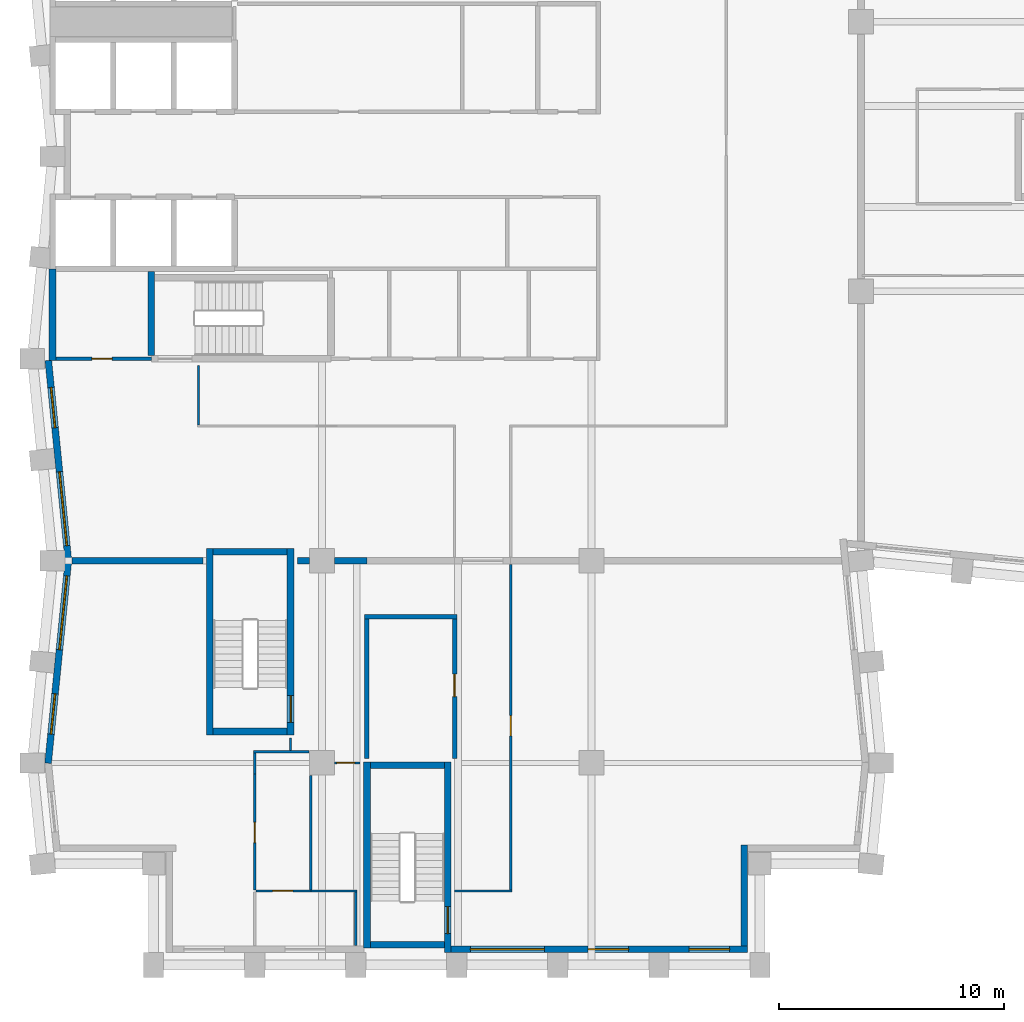
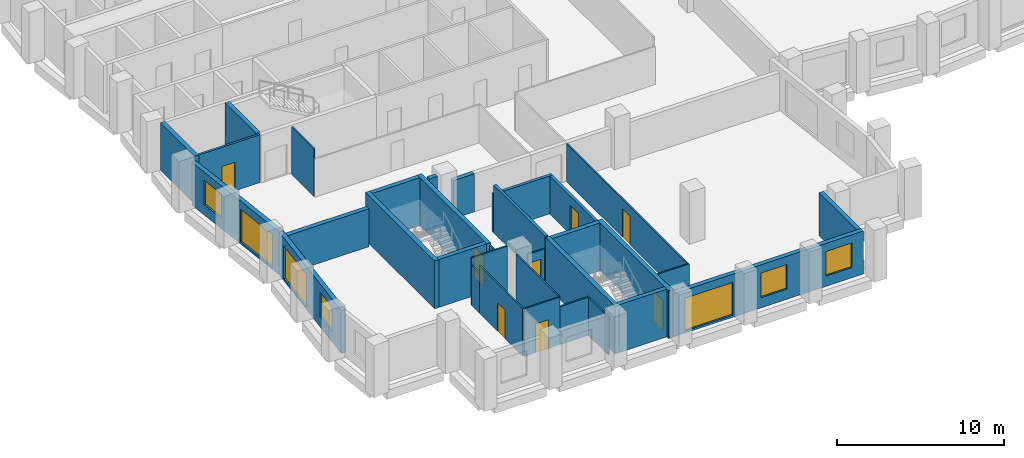
# One storey, part 3 of 10: 33 walls, 8 doors, 7 windows, 15 openings.
"""IFC4 building model written with IfcOpenShell, lengths in metres."""

from ifc_helpers import new_model, si_unit, direction, frame, frame_2d, origin, place, context, subcontext, project, spatial, rectangle, extrude, material, layer, layer_set, type_object, element, fill, save


model = new_model("IFC4")

# Units and contexts
model_context = context("Model", 3, precision=1e-05, world=origin(), true_north=direction((0.0, 1.0)))
body_context = subcontext(model_context, "Body", "Model", "MODEL_VIEW")
ifc_project = project(units=[si_unit("LENGTHUNIT", "METRE"), si_unit("AREAUNIT", "SQUARE_METRE"), si_unit("VOLUMEUNIT", "CUBIC_METRE"), si_unit("PLANEANGLEUNIT", "RADIAN"), si_unit("MASSUNIT", "GRAM", prefix="KILO")], contexts=[model_context])

# Site, building, storey
site_placement = place(None, origin())
site = spatial("IfcSite", under=ifc_project, at=site_placement, CompositionType="ELEMENT")
building_placement = place(site_placement, origin())
building = spatial("IfcBuilding", under=site, at=building_placement, Name="Brondeck Convention Tower", CompositionType="ELEMENT")
storey_placement = place(building_placement, frame((0.0, 0.0, 181.39990234375)))
storey = spatial("IfcBuildingStorey", under=building, at=storey_placement, Name="L44", CompositionType="ELEMENT", Elevation=181.39990234375)

# Walls
ifc_material_1 = material(Name="Concrete compartment wall C30/37", Category="concrete")
ifc_layer_1 = layer(ifc_material_1, 0.300048828125)
ifc_layer_set_1 = layer_set([ifc_layer_1], Name="Compartment wall 300")
wall_type_1 = type_object("IfcWallType", Name="Compartment wall 300", PredefinedType="PARTITIONING", material=ifc_layer_set_1)
wall_1_placement = place(storey_placement, frame((0.8740234375, 27.0, 0.0), z_axis=(0.0, 0.0, 1.0), x_axis=(1.0, 0.0, 0.0)))
element("IfcWall", 1, at=wall_1_placement, inside=storey, type_object=wall_type_1, Name="FLR-L44-W017", PredefinedType="PARTITIONING", context=body_context, shape_type="SweptSolid", body=[
    extrude(rectangle(XDim=5.825927734375, YDim=0.300048828125, at=frame_2d((2.9130859375, 0.0))), origin(), (0.0, 0.0, 1.0), 2.780029296875),
])
wall_2_placement = place(storey_placement, frame((10.89990234375, 27.0, 0.0), z_axis=(0.0, 0.0, 1.0), x_axis=(1.0, 0.0, 0.0)))
element("IfcWall", 2, at=wall_2_placement, inside=storey, type_object=wall_type_1, Name="FLR-L44-W018", PredefinedType="PARTITIONING", context=body_context, shape_type="SweptSolid", body=[
    extrude(rectangle(XDim=0.545166015625, YDim=0.300048828125, at=frame_2d((0.2724609375, 0.0))), origin(), (0.0, 0.0, 1.0), 3.47998046875),
])
wall_3_placement = place(storey_placement, frame((12.554931640625, 27.0, 0.0), z_axis=(0.0, 0.0, 1.0), x_axis=(1.0, 0.0, 0.0)))
element("IfcWall", 3, at=wall_3_placement, inside=storey, type_object=wall_type_1, Name="FLR-L44-W019", PredefinedType="PARTITIONING", context=body_context, shape_type="SweptSolid", body=[
    extrude(rectangle(XDim=1.445068359375, YDim=0.300048828125, at=frame_2d((0.72265625, 0.0))), origin(), (0.0, 0.0, 1.0), 2.780029296875),
])
ifc_material_2 = material(Name="Concrete C70/85", Category="concrete")
ifc_layer_2 = layer(ifc_material_2, 0.300048828125)
ifc_layer_set_2 = layer_set([ifc_layer_2], Name="Core outer wall 300 Concrete C70/85")
wall_type_2 = type_object("IfcWallType", Name="Core outer wall 300 Concrete C70/85", PredefinedType="SHEAR", material=ifc_layer_set_2)
wall_4_placement = place(storey_placement, frame((0.0, 35.925048828125, 0.0), z_axis=(0.0, 0.0, 1.0), x_axis=(0.0, 1.0, 0.0)))
element("IfcWall", 4, at=wall_4_placement, inside=storey, type_object=wall_type_2, Name="L44 core wall", PredefinedType="SHEAR", context=body_context, shape_type="SweptSolid", body=[
    extrude(rectangle(XDim=4.074951171875, YDim=0.300048828125, at=frame_2d((2.03759765625, 0.0))), origin(), (0.0, 0.0, 1.0), 3.5),
])

# Wall, opening, door
ifc_material_3 = material(Name="Fire-rated gypsum board partition")
ifc_layer_3 = layer(ifc_material_3, 0.14990234375)
ifc_layer_set_3 = layer_set([ifc_layer_3], Name="Core partition 150 EI 60")
wall_type_3 = type_object("IfcWallType", Name="Core partition 150 EI 60", PredefinedType="PARTITIONING", material=ifc_layer_set_3)
wall_5_placement = place(storey_placement, frame((0.14990234375, 36.0, 0.0), z_axis=(0.0, 0.0, 1.0), x_axis=(1.0, 0.0, 0.0)))
wall_5 = element("IfcWall", 5, at=wall_5_placement, inside=storey, type_object=wall_type_3, Name="L44 core wall", PredefinedType="PARTITIONING", context=body_context, shape_type="SweptSolid", body=[
    extrude(rectangle(XDim=4.25, YDim=0.14990234375, at=frame_2d((2.125, 0.0))), origin(), (0.0, 0.0, 1.0), 3.5),
])
opening_1_placement = place(wall_5_placement, frame((1.60009765625, 0.0, 0.0)))
opening_1 = element("IfcOpeningElement", 6, at=opening_1_placement, cuts=wall_5, Name="Opening C24-07", PredefinedType="OPENING", context=body_context, shape_type="SweptSolid", body=[
    extrude(rectangle(XDim=0.89990234375, YDim=2.10009765625, at=frame_2d((0.449951171875, 1.050048828125))), frame((0.0, 0.0849609375, 0.0), z_axis=(0.0, -1.0, 0.0), x_axis=(1.0, 0.0, 0.0)), (0.0, 0.0, 1.0), 0.169921875),
])
ifc_material_4 = material(Name="Steel fire door", Category="steel")
door_type_1 = type_object("IfcDoorType", Name="Room door 900x2100 EI 60", OperationType="NOTDEFINED", PredefinedType="DOOR", material=ifc_material_4)
door_1_placement = place(opening_1_placement, origin())
door_1 = element("IfcDoor", 7, at=door_1_placement, inside=storey, type_object=door_type_1, Name="L44 Room door FRW-1", OperationType="SINGLE_SWING_LEFT", OverallHeight=2.10009765625, OverallWidth=0.89990234375, PredefinedType="DOOR", context=body_context, shape_type="SweptSolid", body=[
    extrude(rectangle(XDim=0.89990234375, YDim=2.10009765625, at=frame_2d((0.449951171875, 1.050048828125))), frame((0.0, 0.02490234375, 0.0), z_axis=(0.0, -1.0, 0.0), x_axis=(1.0, 0.0, 0.0)), (0.0, 0.0, 1.0), 0.050048828125),
])
fill(opening_1, door_1)

# Wall, openings, windows
ifc_material_5 = material(Name="Precast concrete C50/60 bronze finish", Category="concrete")
ifc_layer_4 = layer(ifc_material_5, 0.070068359375, Name="Bronze precast facing")
ifc_material_6 = material(Name="Mineral wool")
ifc_layer_5 = layer(ifc_material_6, 0.159912109375, Name="Insulation")
ifc_material_7 = material(Name="Concrete C35/45", Category="concrete")
ifc_layer_6 = layer(ifc_material_7, 0.070068359375, Name="Backing")
ifc_layer_set_4 = layer_set([ifc_layer_4, ifc_layer_5, ifc_layer_6], Name="External infill wall, precast concrete C50/60 bronze facing")
wall_type_4 = type_object("IfcWallType", Name="External infill wall, precast concrete C50/60 bronze facing", PredefinedType="SOLIDWALL", material=ifc_layer_set_4)
wall_6_placement = place(storey_placement, frame((30.949951171875, 9.699951171875, 0.0), z_axis=(0.0, 0.0, 1.0), x_axis=(-1.0, 0.0, 0.0)))
wall_6 = element("IfcWall", 8, at=wall_6_placement, inside=storey, type_object=wall_type_4, Name="ENV-EW-L44-P1-B-S9-04", PredefinedType="SOLIDWALL", context=body_context, shape_type="SweptSolid", body=[
    extrude(rectangle(XDim=13.199951171875, YDim=0.300048828125, at=frame_2d((6.60009765625, 0.0))), origin(), (0.0, 0.0, 1.0), 3.150146484375),
])
opening_2_placement = place(wall_6_placement, frame((0.800048828125, 0.0, 0.75)))
opening_2 = element("IfcOpeningElement", 9, at=opening_2_placement, cuts=wall_6, Name="Opening W10", PredefinedType="OPENING", context=body_context, shape_type="SweptSolid", body=[
    extrude(rectangle(XDim=1.800048828125, YDim=1.800048828125, at=frame_2d((0.89990234375, 0.89990234375))), frame((0.0, 0.159912109375, 0.0), z_axis=(0.0, -1.0, 0.0), x_axis=(1.0, 0.0, 0.0)), (0.0, 0.0, 1.0), 0.320068359375),
])
opening_3_placement = place(wall_6_placement, frame((5.300048828125, 0.0, 0.75)))
opening_3 = element("IfcOpeningElement", 10, at=opening_3_placement, cuts=wall_6, Name="Opening W10", PredefinedType="OPENING", context=body_context, shape_type="SweptSolid", body=[
    extrude(rectangle(XDim=1.800048828125, YDim=1.800048828125, at=frame_2d((0.89990234375, 0.89990234375))), frame((0.0, 0.159912109375, 0.0), z_axis=(0.0, -1.0, 0.0), x_axis=(1.0, 0.0, 0.0)), (0.0, 0.0, 1.0), 0.320068359375),
])
opening_4_placement = place(wall_6_placement, frame((9.050048828125, 0.0, 0.14990234375)))
opening_4 = element("IfcOpeningElement", 11, at=opening_4_placement, cuts=wall_6, Name="Opening W9", PredefinedType="OPENING", context=body_context, shape_type="SweptSolid", body=[
    extrude(rectangle(XDim=3.300048828125, YDim=2.39990234375, at=frame_2d((1.64990234375, 1.199951171875))), frame((0.0, 0.159912109375, 0.0), z_axis=(0.0, -1.0, 0.0), x_axis=(1.0, 0.0, 0.0)), (0.0, 0.0, 1.0), 0.320068359375),
])
ifc_material_8 = material(Name="Bronze tinted double glazing", Category="glass")
window_type_1 = type_object("IfcWindowType", Name="Glazed flute window, bronze tinted", PartitioningType="SINGLE_PANEL", PredefinedType="WINDOW", material=ifc_material_8)
window_1_placement = place(opening_4_placement, origin())
window_1 = element("IfcWindow", 12, at=window_1_placement, inside=storey, type_object=window_type_1, Name="ENV-WN-L44-P1-B-S9-04", OverallHeight=2.39990234375, OverallWidth=3.300048828125, PartitioningType="SINGLE_PANEL", PredefinedType="WINDOW", context=body_context, shape_type="SweptSolid", body=[
    extrude(rectangle(XDim=3.300048828125, YDim=2.39990234375, at=frame_2d((1.64990234375, 1.199951171875))), frame((0.0, 0.030029296875, 0.0), z_axis=(0.0, -1.0, 0.0), x_axis=(1.0, 0.0, 0.0)), (0.0, 0.0, 1.0), 0.06005859375),
])
fill(opening_4, window_1)
window_type_2 = type_object("IfcWindowType", Name="Punched window, bronze tinted", PartitioningType="SINGLE_PANEL", PredefinedType="WINDOW", material=ifc_material_8)
window_2_placement = place(opening_2_placement, origin())
window_2 = element("IfcWindow", 13, at=window_2_placement, inside=storey, type_object=window_type_2, Name="ENV-WN-L44-P1-B-S9-06", OverallHeight=1.800048828125, OverallWidth=1.800048828125, PartitioningType="SINGLE_PANEL", PredefinedType="WINDOW", context=body_context, shape_type="SweptSolid", body=[
    extrude(rectangle(XDim=1.800048828125, YDim=1.800048828125, at=frame_2d((0.89990234375, 0.89990234375))), frame((0.0, 0.030029296875, 0.0), z_axis=(0.0, -1.0, 0.0), x_axis=(1.0, 0.0, 0.0)), (0.0, 0.0, 1.0), 0.06005859375),
])
fill(opening_2, window_2)
window_3_placement = place(opening_3_placement, origin())
window_3 = element("IfcWindow", 14, at=window_3_placement, inside=storey, type_object=window_type_2, Name="ENV-WN-L44-P1-B-S9-05", OverallHeight=1.800048828125, OverallWidth=1.800048828125, PartitioningType="SINGLE_PANEL", PredefinedType="WINDOW", context=body_context, shape_type="SweptSolid", body=[
    extrude(rectangle(XDim=1.800048828125, YDim=1.800048828125, at=frame_2d((0.89990234375, 0.89990234375))), frame((0.0, 0.030029296875, 0.0), z_axis=(0.0, -1.0, 0.0), x_axis=(1.0, 0.0, 0.0)), (0.0, 0.0, 1.0), 0.06005859375),
])
fill(opening_3, window_3)

# Wall
wall_7_placement = place(storey_placement, frame((30.800048828125, 14.35009765625, 0.0), z_axis=(0.0, 0.0, 1.0), x_axis=(0.0, -1.0, 0.0)))
element("IfcWall", 15, at=wall_7_placement, inside=storey, type_object=wall_type_4, Name="ENV-EW-L44-P1-NC-SEB9-01", PredefinedType="SOLIDWALL", context=body_context, shape_type="SweptSolid", body=[
    extrude(rectangle(XDim=4.502197265625, YDim=0.300048828125, at=frame_2d((2.2509765625, 0.0))), origin(), (0.0, 0.0, 1.0), 3.150146484375),
])

# Wall, openings, windows
wall_8_placement = place(storey_placement, frame((0.705078125, 26.985107421875, 0.0), z_axis=(0.0, 0.0, 1.0), x_axis=(-0.099533329093, 0.995034228758, 0.0)))
wall_8 = element("IfcWall", 16, at=wall_8_placement, inside=storey, type_object=wall_type_4, Name="ENV-EW-L44-P1-B-W-06", PredefinedType="SOLIDWALL", context=body_context, shape_type="SweptSolid", body=[
    extrude(rectangle(XDim=8.97998046875, YDim=0.300048828125, at=frame_2d((4.489990234375, 0.0))), origin(), (0.0, 0.0, 1.0), 3.150146484375),
])
opening_5_placement = place(wall_8_placement, frame((0.6962890625, 0.0, 0.14990234375)))
opening_5 = element("IfcOpeningElement", 17, at=opening_5_placement, cuts=wall_8, Name="Opening W9", PredefinedType="OPENING", context=body_context, shape_type="SweptSolid", body=[
    extrude(rectangle(XDim=3.300048828125, YDim=2.39990234375, at=frame_2d((1.64990234375, 1.199951171875))), frame((0.0, 0.159912109375, 0.0), z_axis=(0.0, -1.0, 0.0), x_axis=(1.0, 0.0, 0.0)), (0.0, 0.0, 1.0), 0.320068359375),
])
opening_6_placement = place(wall_8_placement, frame((5.968505859375, 0.0, 0.75)))
opening_6 = element("IfcOpeningElement", 18, at=opening_6_placement, cuts=wall_8, Name="Opening W10", PredefinedType="OPENING", context=body_context, shape_type="SweptSolid", body=[
    extrude(rectangle(XDim=1.800048828125, YDim=1.800048828125, at=frame_2d((0.89990234375, 0.89990234375))), frame((0.0, 0.159912109375, 0.0), z_axis=(0.0, -1.0, 0.0), x_axis=(1.0, 0.0, 0.0)), (0.0, 0.0, 1.0), 0.320068359375),
])
window_4_placement = place(opening_5_placement, origin())
window_4 = element("IfcWindow", 19, at=window_4_placement, inside=storey, type_object=window_type_1, Name="ENV-WN-L44-P1-B-W-07", OverallHeight=2.39990234375, OverallWidth=3.300048828125, PartitioningType="SINGLE_PANEL", PredefinedType="WINDOW", context=body_context, shape_type="SweptSolid", body=[
    extrude(rectangle(XDim=3.300048828125, YDim=2.39990234375, at=frame_2d((1.64990234375, 1.199951171875))), frame((0.0, 0.030029296875, 0.0), z_axis=(0.0, -1.0, 0.0), x_axis=(1.0, 0.0, 0.0)), (0.0, 0.0, 1.0), 0.06005859375),
])
fill(opening_5, window_4)
window_5_placement = place(opening_6_placement, origin())
window_5 = element("IfcWindow", 20, at=window_5_placement, inside=storey, type_object=window_type_2, Name="ENV-WN-L44-P1-B-W-06", OverallHeight=1.800048828125, OverallWidth=1.800048828125, PartitioningType="SINGLE_PANEL", PredefinedType="WINDOW", context=body_context, shape_type="SweptSolid", body=[
    extrude(rectangle(XDim=1.800048828125, YDim=1.800048828125, at=frame_2d((0.89990234375, 0.89990234375))), frame((0.0, 0.030029296875, 0.0), z_axis=(0.0, -1.0, 0.0), x_axis=(1.0, 0.0, 0.0)), (0.0, 0.0, 1.0), 0.06005859375),
])
fill(opening_6, window_5)

wall_9_placement = place(storey_placement, frame((-0.197998046875, 17.985107421875, 0.0), z_axis=(0.0, 0.0, 1.0), x_axis=(0.099495688264, 0.995037993253, 0.0)))
wall_9 = element("IfcWall", 21, at=wall_9_placement, inside=storey, type_object=wall_type_4, Name="ENV-EW-L44-P1-B-W-08", PredefinedType="SOLIDWALL", context=body_context, shape_type="SweptSolid", body=[
    extrude(rectangle(XDim=9.030029296875, YDim=0.300048828125, at=frame_2d((4.51513671875, 0.0))), origin(), (0.0, 0.0, 1.0), 3.150146484375),
])
opening_7_placement = place(wall_9_placement, frame((1.30615234375, 0.0, 0.75)))
opening_7 = element("IfcOpeningElement", 22, at=opening_7_placement, cuts=wall_9, Name="Opening W10", PredefinedType="OPENING", context=body_context, shape_type="SweptSolid", body=[
    extrude(rectangle(XDim=1.800048828125, YDim=1.800048828125, at=frame_2d((0.89990234375, 0.89990234375))), frame((0.0, 0.159912109375, 0.0), z_axis=(0.0, -1.0, 0.0), x_axis=(1.0, 0.0, 0.0)), (0.0, 0.0, 1.0), 0.320068359375),
])
opening_8_placement = place(wall_9_placement, frame((5.07861328125, 0.0, 0.14990234375)))
opening_8 = element("IfcOpeningElement", 23, at=opening_8_placement, cuts=wall_9, Name="Opening W9", PredefinedType="OPENING", context=body_context, shape_type="SweptSolid", body=[
    extrude(rectangle(XDim=3.300048828125, YDim=2.39990234375, at=frame_2d((1.64990234375, 1.199951171875))), frame((0.0, 0.159912109375, 0.0), z_axis=(0.0, -1.0, 0.0), x_axis=(1.0, 0.0, 0.0)), (0.0, 0.0, 1.0), 0.320068359375),
])
window_6_placement = place(opening_8_placement, origin())
window_6 = element("IfcWindow", 24, at=window_6_placement, inside=storey, type_object=window_type_1, Name="ENV-WN-L44-P1-B-W-08", OverallHeight=2.39990234375, OverallWidth=3.300048828125, PartitioningType="SINGLE_PANEL", PredefinedType="WINDOW", context=body_context, shape_type="SweptSolid", body=[
    extrude(rectangle(XDim=3.300048828125, YDim=2.39990234375, at=frame_2d((1.64990234375, 1.199951171875))), frame((0.0, 0.030029296875, 0.0), z_axis=(0.0, -1.0, 0.0), x_axis=(1.0, 0.0, 0.0)), (0.0, 0.0, 1.0), 0.06005859375),
])
fill(opening_8, window_6)
window_7_placement = place(opening_7_placement, origin())
window_7 = element("IfcWindow", 25, at=window_7_placement, inside=storey, type_object=window_type_2, Name="ENV-WN-L44-P1-B-W-09", OverallHeight=1.800048828125, OverallWidth=1.800048828125, PartitioningType="SINGLE_PANEL", PredefinedType="WINDOW", context=body_context, shape_type="SweptSolid", body=[
    extrude(rectangle(XDim=1.800048828125, YDim=1.800048828125, at=frame_2d((0.89990234375, 0.89990234375))), frame((0.0, 0.030029296875, 0.0), z_axis=(0.0, -1.0, 0.0), x_axis=(1.0, 0.0, 0.0)), (0.0, 0.0, 1.0), 0.06005859375),
])
fill(opening_7, window_7)

# Wall, opening, door
ifc_material_9 = material(Name="Concrete block wall C16/20", Category="concrete")
ifc_layer_7 = layer(ifc_material_9, 0.199951171875)
ifc_layer_set_5 = layer_set([ifc_layer_7], Name="Plant room wall 200")
wall_type_5 = type_object("IfcWallType", Name="Plant room wall 200", PredefinedType="PARTITIONING", material=ifc_layer_set_5)
wall_10_placement = place(storey_placement, frame((17.89990234375, 18.199951171875, 0.0), z_axis=(0.0, 0.0, 1.0), x_axis=(0.0, 1.0, 0.0)))
wall_10 = element("IfcWall", 26, at=wall_10_placement, inside=storey, type_object=wall_type_5, Name="FLR-L44-W011", PredefinedType="PARTITIONING", context=body_context, shape_type="SweptSolid", body=[
    extrude(rectangle(XDim=6.199951171875, YDim=0.199951171875, at=frame_2d((3.10009765625, 0.0))), origin(), (0.0, 0.0, 1.0), 2.780029296875),
])
opening_9_placement = place(wall_10_placement, frame((2.75, 0.0, 0.0)))
opening_9 = element("IfcOpeningElement", 27, at=opening_9_placement, cuts=wall_10, Name="Opening OF-I-003", PredefinedType="OPENING", context=body_context, shape_type="SweptSolid", body=[
    extrude(rectangle(XDim=1.0, YDim=2.10009765625, at=frame_2d((0.5, 1.050048828125))), frame((0.0, 0.10986328125, 0.0), z_axis=(0.0, -1.0, 0.0), x_axis=(1.0, 0.0, 0.0)), (0.0, 0.0, 1.0), 0.219970703125),
])
ifc_material_10 = material(Name="Steel fire door leaf", Category="steel")
door_type_2 = type_object("IfcDoorType", Name="Plant room door 1000", OperationType="NOTDEFINED", PredefinedType="DOOR", material=ifc_material_10)
door_2_placement = place(opening_9_placement, origin())
door_2 = element("IfcDoor", 28, at=door_2_placement, inside=storey, type_object=door_type_2, Name="Door OF-I-003", OperationType="SINGLE_SWING_LEFT", OverallHeight=2.10009765625, OverallWidth=1.0, PredefinedType="DOOR", context=body_context, shape_type="SweptSolid", body=[
    extrude(rectangle(XDim=1.0, YDim=2.10009765625, at=frame_2d((0.5, 1.050048828125))), frame((0.0, 0.02490234375, 0.0), z_axis=(0.0, -1.0, 0.0), x_axis=(1.0, 0.0, 0.0)), (0.0, 0.0, 1.0), 0.050048828125),
])
fill(opening_9, door_2)

# Walls
wall_11_placement = place(storey_placement, frame((14.0, 24.39990234375, 0.0), z_axis=(0.0, 0.0, 1.0), x_axis=(0.0, -1.0, 0.0)))
element("IfcWall", 29, at=wall_11_placement, inside=storey, type_object=wall_type_5, Name="FLR-L44-W014", PredefinedType="PARTITIONING", context=body_context, shape_type="SweptSolid", body=[
    extrude(rectangle(XDim=6.199951171875, YDim=0.199951171875, at=frame_2d((3.10009765625, 0.0))), origin(), (0.0, 0.0, 1.0), 3.47998046875),
])
wall_12_placement = place(storey_placement, frame((18.0, 24.5, 0.0), z_axis=(0.0, 0.0, 1.0), x_axis=(-1.0, 0.0, 0.0)))
element("IfcWall", 30, at=wall_12_placement, inside=storey, type_object=wall_type_5, Name="FLR-L44-W015", PredefinedType="PARTITIONING", context=body_context, shape_type="SweptSolid", body=[
    extrude(rectangle(XDim=4.10009765625, YDim=0.199951171875, at=frame_2d((2.050048828125, 0.0))), origin(), (0.0, 0.0, 1.0), 2.780029296875),
])
ifc_material_11 = material(Name="Gypsum board partition on steel studs", Category="steel")
ifc_layer_8 = layer(ifc_material_11, 0.10009765625)
ifc_layer_set_6 = layer_set([ifc_layer_8], Name="Room partition 100")
wall_type_6 = type_object("IfcWallType", Name="Room partition 100", PredefinedType="PARTITIONING", material=ifc_layer_set_6)
wall_13_placement = place(storey_placement, frame((13.5, 12.25, 0.0), z_axis=(0.0, 0.0, 1.0), x_axis=(0.0, -1.0, 0.0)))
element("IfcWall", 31, at=wall_13_placement, inside=storey, type_object=wall_type_6, Name="FLR-L44-W003", PredefinedType="PARTITIONING", context=body_context, shape_type="SweptSolid", body=[
    extrude(rectangle(XDim=2.3798828125, YDim=0.10009765625, at=frame_2d((1.18994140625, 0.0))), origin(), (0.0, 0.0, 1.0), 2.780029296875),
])

# Wall, opening, door
wall_14_placement = place(storey_placement, frame((11.5, 12.300048828125, 0.0), z_axis=(0.0, 0.0, 1.0), x_axis=(-1.0, 0.0, 0.0)))
wall_14 = element("IfcWall", 32, at=wall_14_placement, inside=storey, type_object=wall_type_6, Name="FLR-L44-W004", PredefinedType="PARTITIONING", context=body_context, shape_type="SweptSolid", body=[
    extrude(rectangle(XDim=2.449951171875, YDim=0.10009765625, at=frame_2d((1.22509765625, 0.0))), origin(), (0.0, 0.0, 1.0), 3.47998046875),
])
opening_10_placement = place(wall_14_placement, frame((0.800048828125, 0.0, 0.0)))
opening_10 = element("IfcOpeningElement", 33, at=opening_10_placement, cuts=wall_14, Name="Opening OF-I-001", PredefinedType="OPENING", context=body_context, shape_type="SweptSolid", body=[
    extrude(rectangle(XDim=0.89990234375, YDim=2.10009765625, at=frame_2d((0.449951171875, 1.050048828125))), frame((0.0, 0.06005859375, 0.0), z_axis=(0.0, -1.0, 0.0), x_axis=(1.0, 0.0, 0.0)), (0.0, 0.0, 1.0), 0.1201171875),
])
ifc_material_12 = material(Name="Solid timber door leaf", Category="wood")
door_type_3 = type_object("IfcDoorType", Name="Single door 900", OperationType="NOTDEFINED", PredefinedType="DOOR", material=ifc_material_12)
door_3_placement = place(opening_10_placement, origin())
door_3 = element("IfcDoor", 34, at=door_3_placement, inside=storey, type_object=door_type_3, Name="Door OF-I-001", OperationType="SINGLE_SWING_RIGHT", OverallHeight=2.10009765625, OverallWidth=0.89990234375, PredefinedType="DOOR", context=body_context, shape_type="SweptSolid", body=[
    extrude(rectangle(XDim=0.89990234375, YDim=2.10009765625, at=frame_2d((0.449951171875, 1.050048828125))), frame((0.0, 0.02490234375, 0.0), z_axis=(0.0, -1.0, 0.0), x_axis=(1.0, 0.0, 0.0)), (0.0, 0.0, 1.0), 0.050048828125),
])
fill(opening_10, door_3)

# Walls
wall_15_placement = place(storey_placement, frame((11.5, 12.300048828125, 0.0), z_axis=(0.0, 0.0, 1.0), x_axis=(1.0, 0.0, 0.0)))
element("IfcWall", 35, at=wall_15_placement, inside=storey, type_object=wall_type_6, Name="FLR-L44-W005", PredefinedType="PARTITIONING", context=body_context, shape_type="SweptSolid", body=[
    extrude(rectangle(XDim=2.050048828125, YDim=0.10009765625, at=frame_2d((1.02490234375, 0.0))), origin(), (0.0, 0.0, 1.0), 2.780029296875),
])
wall_16_placement = place(storey_placement, frame((20.449951171875, 12.300048828125, 0.0), z_axis=(0.0, 0.0, 1.0), x_axis=(-1.0, 0.0, 0.0)))
element("IfcWall", 36, at=wall_16_placement, inside=storey, type_object=wall_type_6, Name="FLR-L44-W006", PredefinedType="PARTITIONING", context=body_context, shape_type="SweptSolid", body=[
    extrude(rectangle(XDim=2.550048828125, YDim=0.10009765625, at=frame_2d((1.27490234375, 0.0))), origin(), (0.0, 0.0, 1.0), 2.780029296875),
])

# Wall, opening, door
wall_17_placement = place(storey_placement, frame((9.0, 12.35009765625, 0.0), z_axis=(0.0, 0.0, 1.0), x_axis=(0.0, 1.0, 0.0)))
wall_17 = element("IfcWall", 37, at=wall_17_placement, inside=storey, type_object=wall_type_6, Name="FLR-L44-W007", PredefinedType="PARTITIONING", context=body_context, shape_type="SweptSolid", body=[
    extrude(rectangle(XDim=5.14990234375, YDim=0.10009765625, at=frame_2d((2.574951171875, 0.0))), origin(), (0.0, 0.0, 1.0), 3.47998046875),
])
opening_11_placement = place(wall_17_placement, frame((2.10009765625, 0.0, 0.0)))
opening_11 = element("IfcOpeningElement", 38, at=opening_11_placement, cuts=wall_17, Name="Opening OF-I-010", PredefinedType="OPENING", context=body_context, shape_type="SweptSolid", body=[
    extrude(rectangle(XDim=0.89990234375, YDim=2.10009765625, at=frame_2d((0.449951171875, 1.050048828125))), frame((0.0, 0.06005859375, 0.0), z_axis=(0.0, -1.0, 0.0), x_axis=(1.0, 0.0, 0.0)), (0.0, 0.0, 1.0), 0.1201171875),
])
door_4_placement = place(opening_11_placement, origin())
door_4 = element("IfcDoor", 39, at=door_4_placement, inside=storey, type_object=door_type_3, Name="Door OF-I-010", OperationType="SINGLE_SWING_RIGHT", OverallHeight=2.10009765625, OverallWidth=0.89990234375, PredefinedType="DOOR", context=body_context, shape_type="SweptSolid", body=[
    extrude(rectangle(XDim=0.89990234375, YDim=2.10009765625, at=frame_2d((0.449951171875, 1.050048828125))), frame((0.0, 0.02490234375, 0.0), z_axis=(0.0, -1.0, 0.0), x_axis=(1.0, 0.0, 0.0)), (0.0, 0.0, 1.0), 0.050048828125),
])
fill(opening_11, door_4)

# Walls
wall_18_placement = place(storey_placement, frame((11.5, 17.445068359375, 0.0), z_axis=(0.0, 0.0, 1.0), x_axis=(0.0, -1.0, 0.0)))
element("IfcWall", 40, at=wall_18_placement, inside=storey, type_object=wall_type_6, Name="FLR-L44-W008", PredefinedType="PARTITIONING", context=body_context, shape_type="SweptSolid", body=[
    extrude(rectangle(XDim=5.094970703125, YDim=0.10009765625, at=frame_2d((2.54736328125, 0.0))), origin(), (0.0, 0.0, 1.0), 3.47998046875),
])
wall_19_placement = place(storey_placement, frame((9.0, 17.5, 0.0), z_axis=(0.0, 0.0, 1.0), x_axis=(0.0, 1.0, 0.0)))
element("IfcWall", 41, at=wall_19_placement, inside=storey, type_object=wall_type_6, Name="FLR-L44-W009", PredefinedType="PARTITIONING", context=body_context, shape_type="SweptSolid", body=[
    extrude(rectangle(XDim=0.949951171875, YDim=0.10009765625, at=frame_2d((0.47509765625, 0.0))), origin(), (0.0, 0.0, 1.0), 2.93017578125),
])

# Wall, opening, door
wall_20_placement = place(storey_placement, frame((13.699951171875, 18.0, 0.0), z_axis=(0.0, 0.0, 1.0), x_axis=(-1.0, 0.0, 0.0)))
wall_20 = element("IfcWall", 42, at=wall_20_placement, inside=storey, type_object=wall_type_6, Name="FLR-L44-W010", PredefinedType="PARTITIONING", context=body_context, shape_type="SweptSolid", body=[
    extrude(rectangle(XDim=1.14501953125, YDim=0.10009765625, at=frame_2d((0.572509765625, 0.0))), origin(), (0.0, 0.0, 1.0), 2.780029296875),
])
opening_12_placement = place(wall_20_placement, frame((0.2451171875, 0.0, 0.0)))
opening_12 = element("IfcOpeningElement", 43, at=opening_12_placement, cuts=wall_20, Name="Opening OF-I-004", PredefinedType="OPENING", context=body_context, shape_type="SweptSolid", body=[
    extrude(rectangle(XDim=0.800048828125, YDim=2.10009765625, at=frame_2d((0.39990234375, 1.050048828125))), frame((0.0, 0.06005859375, 0.0), z_axis=(0.0, -1.0, 0.0), x_axis=(1.0, 0.0, 0.0)), (0.0, 0.0, 1.0), 0.1201171875),
])
ifc_material_13 = material(Name="Steel service door leaf", Category="steel")
door_type_4 = type_object("IfcDoorType", Name="Service door 800", OperationType="NOTDEFINED", PredefinedType="DOOR", material=ifc_material_13)
door_5_placement = place(opening_12_placement, origin())
door_5 = element("IfcDoor", 44, at=door_5_placement, inside=storey, type_object=door_type_4, Name="Door OF-I-004", OperationType="SINGLE_SWING_LEFT", OverallHeight=2.10009765625, OverallWidth=0.800048828125, PredefinedType="DOOR", context=body_context, shape_type="SweptSolid", body=[
    extrude(rectangle(XDim=0.800048828125, YDim=2.10009765625, at=frame_2d((0.39990234375, 1.050048828125))), frame((0.0, 0.02490234375, 0.0), z_axis=(0.0, -1.0, 0.0), x_axis=(1.0, 0.0, 0.0)), (0.0, 0.0, 1.0), 0.050048828125),
])
fill(opening_12, door_5)

# Walls
wall_21_placement = place(storey_placement, frame((8.949951171875, 18.5, 0.0), z_axis=(0.0, 0.0, 1.0), x_axis=(1.0, 0.0, 0.0)))
element("IfcWall", 45, at=wall_21_placement, inside=storey, type_object=wall_type_6, Name="FLR-L44-W012", PredefinedType="PARTITIONING", context=body_context, shape_type="SweptSolid", body=[
    extrude(rectangle(XDim=2.47998046875, YDim=0.10009765625, at=frame_2d((1.239990234375, 0.0))), origin(), (0.0, 0.0, 1.0), 3.47998046875),
])
wall_22_placement = place(storey_placement, frame((10.60009765625, 18.550048828125, 0.0), z_axis=(0.0, 0.0, 1.0), x_axis=(0.0, 1.0, 0.0)))
element("IfcWall", 46, at=wall_22_placement, inside=storey, type_object=wall_type_6, Name="FLR-L44-W013", PredefinedType="PARTITIONING", context=body_context, shape_type="SweptSolid", body=[
    extrude(rectangle(XDim=0.550048828125, YDim=0.10009765625, at=frame_2d((0.27490234375, 0.0))), origin(), (0.0, 0.0, 1.0), 3.47998046875),
])

# Wall, opening, door
wall_23_placement = place(storey_placement, frame((20.39990234375, 26.830078125, 0.0), z_axis=(0.0, 0.0, 1.0), x_axis=(0.0, -1.0, 0.0)))
wall_23 = element("IfcWall", 47, at=wall_23_placement, inside=storey, type_object=wall_type_6, Name="FLR-L44-W016", PredefinedType="PARTITIONING", context=body_context, shape_type="SweptSolid", body=[
    extrude(rectangle(XDim=14.47998046875, YDim=0.10009765625, at=frame_2d((7.239990234375, 0.0))), origin(), (0.0, 0.0, 1.0), 2.780029296875),
])
opening_13_placement = place(wall_23_placement, frame((6.72998046875, 0.0, 0.0)))
opening_13 = element("IfcOpeningElement", 48, at=opening_13_placement, cuts=wall_23, Name="Opening OF-I-009", PredefinedType="OPENING", context=body_context, shape_type="SweptSolid", body=[
    extrude(rectangle(XDim=0.89990234375, YDim=2.10009765625, at=frame_2d((0.449951171875, 1.050048828125))), frame((0.0, 0.06005859375, 0.0), z_axis=(0.0, -1.0, 0.0), x_axis=(1.0, 0.0, 0.0)), (0.0, 0.0, 1.0), 0.1201171875),
])
door_6_placement = place(opening_13_placement, origin())
door_6 = element("IfcDoor", 49, at=door_6_placement, inside=storey, type_object=door_type_3, Name="Door OF-I-009", OperationType="SINGLE_SWING_LEFT", OverallHeight=2.10009765625, OverallWidth=0.89990234375, PredefinedType="DOOR", context=body_context, shape_type="SweptSolid", body=[
    extrude(rectangle(XDim=0.89990234375, YDim=2.10009765625, at=frame_2d((0.449951171875, 1.050048828125))), frame((0.0, 0.02490234375, 0.0), z_axis=(0.0, -1.0, 0.0), x_axis=(1.0, 0.0, 0.0)), (0.0, 0.0, 1.0), 0.050048828125),
])
fill(opening_13, door_6)

# Walls
wall_24_placement = place(storey_placement, frame((6.5, 33.050048828125, 0.0), z_axis=(0.0, 0.0, 1.0), x_axis=(0.0, 1.0, 0.0)))
element("IfcWall", 50, at=wall_24_placement, inside=storey, type_object=wall_type_6, Name="FLR-L44-W030", PredefinedType="PARTITIONING", context=body_context, shape_type="SweptSolid", body=[
    extrude(rectangle(XDim=2.64990234375, YDim=0.10009765625, at=frame_2d((1.324951171875, 0.0))), origin(), (0.0, 0.0, 1.0), 3.47998046875),
])
ifc_layer_9 = layer(ifc_material_2, 0.300048828125)
ifc_layer_set_7 = layer_set([ifc_layer_9], Name="Stair enclosure wall 300 Concrete C70/85")
wall_type_7 = type_object("IfcWallType", Name="Stair enclosure wall 300 Concrete C70/85", PredefinedType="SHEAR", material=ifc_layer_set_7)
for number, where, z_axis, x_axis, name in (
    (51, (14.14990234375, 9.89990234375, 0.0), (0.0, 0.0, 1.0), (1.0, 0.0, 0.0), "L44 core wall"),
    (52, (14.14990234375, 17.89990234375, 0.0), (0.0, 0.0, 1.0), (1.0, 0.0, 0.0), "L44 core wall"),
    (53, (7.14990234375, 19.39990234375, 0.0), (0.0, 0.0, 1.0), (1.0, 0.0, 0.0), "L44 core wall"),
    (54, (7.14990234375, 27.39990234375, 0.0), (0.0, 0.0, 1.0), (1.0, 0.0, 0.0), "L44 core wall"),
):
    element("IfcWall", number, at=place(storey_placement, frame(where, z_axis=z_axis, x_axis=x_axis)), inside=storey, type_object=wall_type_7, Name=name, PredefinedType="SHEAR", context=body_context, shape_type="SweptSolid", body=[
        extrude(rectangle(XDim=3.300048828125, YDim=0.300048828125, at=frame_2d((1.64990234375, 0.0))), origin(), (0.0, 0.0, 1.0), 3.5),
    ])
wall_25_placement = place(storey_placement, frame((4.39990234375, 36.14990234375, 0.0), z_axis=(0.0, 0.0, 1.0), x_axis=(0.0, 1.0, 0.0)))
element("IfcWall", 55, at=wall_25_placement, inside=storey, type_object=wall_type_7, Name="L44 core wall", PredefinedType="SHEAR", context=body_context, shape_type="SweptSolid", body=[
    extrude(rectangle(XDim=3.72509765625, YDim=0.300048828125, at=frame_2d((1.862548828125, 0.0))), origin(), (0.0, 0.0, 1.0), 3.5),
])
wall_26_placement = place(storey_placement, frame((7.0, 19.25, 0.0), z_axis=(0.0, 0.0, 1.0), x_axis=(0.0, 1.0, 0.0)))
element("IfcWall", 56, at=wall_26_placement, inside=storey, type_object=wall_type_7, Name="L44 core wall", PredefinedType="SHEAR", context=body_context, shape_type="SweptSolid", body=[
    extrude(rectangle(XDim=8.300048828125, YDim=0.300048828125, at=frame_2d((4.14990234375, 0.0))), origin(), (0.0, 0.0, 1.0), 3.5),
])

# Wall, opening, door
wall_27_placement = place(storey_placement, frame((10.60009765625, 19.25, 0.0), z_axis=(0.0, 0.0, 1.0), x_axis=(0.0, 1.0, 0.0)))
wall_27 = element("IfcWall", 57, at=wall_27_placement, inside=storey, type_object=wall_type_7, Name="L44 core wall", PredefinedType="SHEAR", context=body_context, shape_type="SweptSolid", body=[
    extrude(rectangle(XDim=8.300048828125, YDim=0.300048828125, at=frame_2d((4.14990234375, 0.0))), origin(), (0.0, 0.0, 1.0), 3.5),
])
opening_14_placement = place(wall_27_placement, frame((0.550048828125, 0.0, 0.0)))
opening_14 = element("IfcOpeningElement", 58, at=opening_14_placement, cuts=wall_27, Name="Opening C24-18", PredefinedType="OPENING", context=body_context, shape_type="SweptSolid", body=[
    extrude(rectangle(XDim=1.199951171875, YDim=2.199951171875, at=frame_2d((0.60009765625, 1.10009765625))), frame((0.0, 0.159912109375, 0.0), z_axis=(0.0, -1.0, 0.0), x_axis=(1.0, 0.0, 0.0)), (0.0, 0.0, 1.0), 0.320068359375),
])
door_type_5 = type_object("IfcDoorType", Name="Stair door 1200x2200 EI 90", OperationType="NOTDEFINED", PredefinedType="DOOR", material=ifc_material_4)
door_7_placement = place(opening_14_placement, origin())
door_7 = element("IfcDoor", 59, at=door_7_placement, inside=storey, type_object=door_type_5, Name="L44 Stair door ST-BE", OperationType="SINGLE_SWING_RIGHT", OverallHeight=2.199951171875, OverallWidth=1.199951171875, PredefinedType="DOOR", context=body_context, shape_type="SweptSolid", body=[
    extrude(rectangle(XDim=1.199951171875, YDim=2.199951171875, at=frame_2d((0.60009765625, 1.10009765625))), frame((0.0, 0.02490234375, 0.0), z_axis=(0.0, -1.0, 0.0), x_axis=(1.0, 0.0, 0.0)), (0.0, 0.0, 1.0), 0.050048828125),
])
fill(opening_14, door_7)

# Wall
wall_28_placement = place(storey_placement, frame((14.0, 9.75, 0.0), z_axis=(0.0, 0.0, 1.0), x_axis=(0.0, 1.0, 0.0)))
element("IfcWall", 60, at=wall_28_placement, inside=storey, type_object=wall_type_7, Name="L44 core wall", PredefinedType="SHEAR", context=body_context, shape_type="SweptSolid", body=[
    extrude(rectangle(XDim=8.300048828125, YDim=0.300048828125, at=frame_2d((4.14990234375, 0.0))), origin(), (0.0, 0.0, 1.0), 3.5),
])

# Wall, opening, door
wall_29_placement = place(storey_placement, frame((17.60009765625, 9.550048828125, 0.0), z_axis=(0.0, 0.0, 1.0), x_axis=(0.0, 1.0, 0.0)))
wall_29 = element("IfcWall", 61, at=wall_29_placement, inside=storey, type_object=wall_type_7, Name="L44 core wall", PredefinedType="SHEAR", context=body_context, shape_type="SweptSolid", body=[
    extrude(rectangle(XDim=8.5, YDim=0.300048828125, at=frame_2d((4.25, 0.0))), origin(), (0.0, 0.0, 1.0), 3.5),
])
opening_15_placement = place(wall_29_placement, frame((0.85009765625, 0.0, 0.0)))
opening_15 = element("IfcOpeningElement", 62, at=opening_15_placement, cuts=wall_29, Name="Opening C24-19", PredefinedType="OPENING", context=body_context, shape_type="SweptSolid", body=[
    extrude(rectangle(XDim=1.199951171875, YDim=2.199951171875, at=frame_2d((0.60009765625, 1.10009765625))), frame((0.0, 0.159912109375, 0.0), z_axis=(0.0, -1.0, 0.0), x_axis=(1.0, 0.0, 0.0)), (0.0, 0.0, 1.0), 0.320068359375),
])
door_8_placement = place(opening_15_placement, origin())
door_8 = element("IfcDoor", 63, at=door_8_placement, inside=storey, type_object=door_type_5, Name="L44 Stair door ST-BF", OperationType="SINGLE_SWING_LEFT", OverallHeight=2.199951171875, OverallWidth=1.199951171875, PredefinedType="DOOR", context=body_context, shape_type="SweptSolid", body=[
    extrude(rectangle(XDim=1.199951171875, YDim=2.199951171875, at=frame_2d((0.60009765625, 1.10009765625))), frame((0.0, 0.02490234375, 0.0), z_axis=(0.0, -1.0, 0.0), x_axis=(1.0, 0.0, 0.0)), (0.0, 0.0, 1.0), 0.050048828125),
])
fill(opening_15, door_8)

save(model, "model.ifc")
